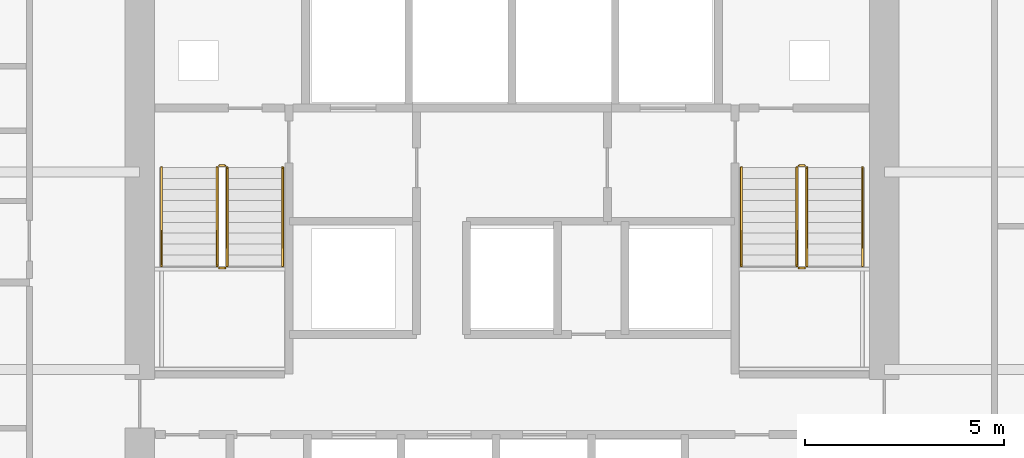
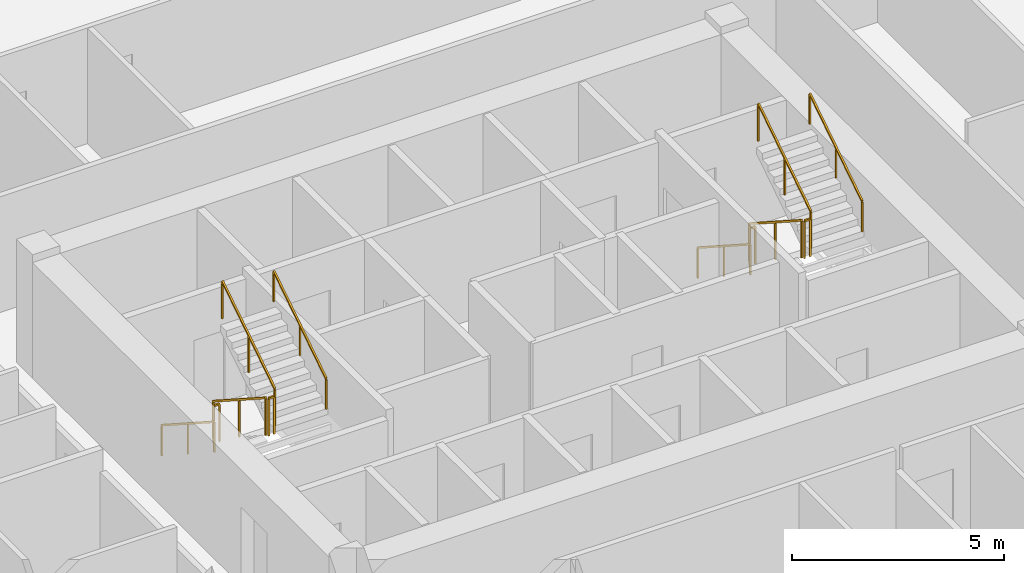
# One storey, part 9 of 10: 12 railings.
"""IFC4 building model written with IfcOpenShell, lengths in metres."""

from ifc_helpers import new_model, si_unit, direction, frame, origin, origin_2d, place, context, subcontext, project, spatial, rectangle, extrude, material, type_object, element, save


model = new_model("IFC4")

# Units and contexts
model_context = context("Model", 3, precision=1e-05, world=origin(), true_north=direction((0.0, 1.0)))
body_context = subcontext(model_context, "Body", "Model", "MODEL_VIEW")
ifc_project = project(units=[si_unit("LENGTHUNIT", "METRE"), si_unit("AREAUNIT", "SQUARE_METRE"), si_unit("VOLUMEUNIT", "CUBIC_METRE"), si_unit("PLANEANGLEUNIT", "RADIAN"), si_unit("MASSUNIT", "GRAM", prefix="KILO")], contexts=[model_context])

# Site, building, storey
site_placement = place(None, origin())
site = spatial("IfcSite", under=ifc_project, at=site_placement, CompositionType="ELEMENT")
building_placement = place(site_placement, origin())
building = spatial("IfcBuilding", under=site, at=building_placement, Name="Cinnabar Lancet Tower", CompositionType="ELEMENT")
storey_placement = place(building_placement, frame((0.0, 0.0, 87.10009765625)))
storey = spatial("IfcBuildingStorey", under=building, at=storey_placement, Name="L22", CompositionType="ELEMENT", Elevation=87.10009765625)

# Railings
ifc_material_1 = material(Name="Painted galvanized steel balustrade", Category="steel")
railing_type_1 = type_object("IfcRailingType", Name="GUARD-STAIR", PredefinedType="GUARDRAIL", material=ifc_material_1)
railing_1_placement = place(storey_placement, frame((24.97509765625, 28.39990234375, 0.177490234375)))
element("IfcRailing", 1, at=railing_1_placement, inside=storey, type_object=railing_type_1, Name="L22 ST-1 stair guard 1", PredefinedType="GUARDRAIL", context=body_context, shape_type="SweptSolid", body=[
    extrude(rectangle(XDim=0.048095703125, YDim=0.048095703125, at=origin_2d()), frame((0.0, 0.0, 1.076171875), z_axis=(0.0, -0.840183358697, 0.542302428327), x_axis=(1.0, 0.0, 0.0)), (0.0, 0.0, 1.0), 2.945556640625),
    extrude(rectangle(XDim=0.0419921875, YDim=0.0419921875, at=origin_2d()), origin(), (0.0, 0.0, 1.0), 1.052001953125),
    extrude(rectangle(XDim=0.0419921875, YDim=0.0419921875, at=origin_2d()), frame((0.0, -1.2373046875, 0.798828125)), (0.0, 0.0, 1.0), 1.052001953125),
    extrude(rectangle(XDim=0.0419921875, YDim=0.0419921875, at=origin_2d()), frame((0.0, -2.474853515625, 1.597412109375)), (0.0, 0.0, 1.0), 1.052001953125),
])
railing_2_placement = place(storey_placement, frame((25.02490234375, 25.875, 1.77490234375)))
element("IfcRailing", 2, at=railing_2_placement, inside=storey, type_object=railing_type_1, Name="L22 ST-1 stair guard 2", PredefinedType="GUARDRAIL", context=body_context, shape_type="SweptSolid", body=[
    extrude(rectangle(XDim=0.048095703125, YDim=0.048095703125, at=origin_2d()), frame((0.0, 0.0, 1.076171875), z_axis=(1.0, 0.0, 0.0), x_axis=(0.0, 1.0, 0.0)), (0.0, 0.0, 1.0), 0.150146484375),
    extrude(rectangle(XDim=0.0419921875, YDim=0.0419921875, at=origin_2d()), origin(), (0.0, 0.0, 1.0), 1.052001953125),
    extrude(rectangle(XDim=0.0419921875, YDim=0.0419921875, at=origin_2d()), frame((0.150146484375, 0.0, 0.0)), (0.0, 0.0, 1.0), 1.052001953125),
])
railing_3_placement = place(storey_placement, frame((25.22509765625, 25.925048828125, 1.952392578125)))
element("IfcRailing", 3, at=railing_3_placement, inside=storey, type_object=railing_type_1, Name="L22 ST-1 stair guard 3", PredefinedType="GUARDRAIL", context=body_context, shape_type="SweptSolid", body=[
    extrude(rectangle(XDim=0.048095703125, YDim=0.048095703125, at=origin_2d()), frame((0.0, 0.0, 1.076171875), z_axis=(0.0, 0.840183358697, 0.542302428327), x_axis=(-1.0, 0.0, 0.0)), (0.0, 0.0, 1.0), 2.945556640625),
    extrude(rectangle(XDim=0.0419921875, YDim=0.0419921875, at=origin_2d()), origin(), (0.0, 0.0, 1.0), 1.052001953125),
    extrude(rectangle(XDim=0.0419921875, YDim=0.0419921875, at=origin_2d()), frame((0.0, 1.2373046875, 0.798828125)), (0.0, 0.0, 1.0), 1.052001953125),
    extrude(rectangle(XDim=0.0419921875, YDim=0.0419921875, at=origin_2d()), frame((0.0, 2.474853515625, 1.597412109375)), (0.0, 0.0, 1.0), 1.052001953125),
])
railing_4_placement = place(storey_placement, frame((25.02490234375, 28.449951171875, 0.0)))
element("IfcRailing", 4, at=railing_4_placement, inside=storey, type_object=railing_type_1, Name="L22 ST-1 stair guard 4", PredefinedType="GUARDRAIL", context=body_context, shape_type="SweptSolid", body=[
    extrude(rectangle(XDim=0.048095703125, YDim=0.048095703125, at=origin_2d()), frame((0.0, 0.0, 1.076171875), z_axis=(1.0, 0.0, 0.0), x_axis=(0.0, 1.0, 0.0)), (0.0, 0.0, 1.0), 0.150146484375),
    extrude(rectangle(XDim=0.0419921875, YDim=0.0419921875, at=origin_2d()), origin(), (0.0, 0.0, 1.0), 1.052001953125),
    extrude(rectangle(XDim=0.0419921875, YDim=0.0419921875, at=origin_2d()), frame((0.150146484375, 0.0, 0.0)), (0.0, 0.0, 1.0), 1.052001953125),
])
railing_5_placement = place(storey_placement, frame((39.574951171875, 28.39990234375, 0.177490234375)))
element("IfcRailing", 5, at=railing_5_placement, inside=storey, type_object=railing_type_1, Name="L22 ST-2 stair guard 1", PredefinedType="GUARDRAIL", context=body_context, shape_type="SweptSolid", body=[
    extrude(rectangle(XDim=0.048095703125, YDim=0.048095703125, at=origin_2d()), frame((0.0, 0.0, 1.076171875), z_axis=(0.0, -0.840183358697, 0.542302428327), x_axis=(1.0, 0.0, 0.0)), (0.0, 0.0, 1.0), 2.945556640625),
    extrude(rectangle(XDim=0.0419921875, YDim=0.0419921875, at=origin_2d()), origin(), (0.0, 0.0, 1.0), 1.052001953125),
    extrude(rectangle(XDim=0.0419921875, YDim=0.0419921875, at=origin_2d()), frame((0.0, -1.2373046875, 0.798828125)), (0.0, 0.0, 1.0), 1.052001953125),
    extrude(rectangle(XDim=0.0419921875, YDim=0.0419921875, at=origin_2d()), frame((0.0, -2.474853515625, 1.597412109375)), (0.0, 0.0, 1.0), 1.052001953125),
])
railing_6_placement = place(storey_placement, frame((39.625, 25.875, 1.77490234375)))
element("IfcRailing", 6, at=railing_6_placement, inside=storey, type_object=railing_type_1, Name="L22 ST-2 stair guard 2", PredefinedType="GUARDRAIL", context=body_context, shape_type="SweptSolid", body=[
    extrude(rectangle(XDim=0.048095703125, YDim=0.048095703125, at=origin_2d()), frame((0.0, 0.0, 1.076171875), z_axis=(1.0, 0.0, 0.0), x_axis=(0.0, 1.0, 0.0)), (0.0, 0.0, 1.0), 0.14990234375),
    extrude(rectangle(XDim=0.0419921875, YDim=0.0419921875, at=origin_2d()), origin(), (0.0, 0.0, 1.0), 1.052001953125),
    extrude(rectangle(XDim=0.0419921875, YDim=0.0419921875, at=origin_2d()), frame((0.14990234375, 0.0, 0.0)), (0.0, 0.0, 1.0), 1.052001953125),
])
railing_7_placement = place(storey_placement, frame((39.824951171875, 25.925048828125, 1.952392578125)))
element("IfcRailing", 7, at=railing_7_placement, inside=storey, type_object=railing_type_1, Name="L22 ST-2 stair guard 3", PredefinedType="GUARDRAIL", context=body_context, shape_type="SweptSolid", body=[
    extrude(rectangle(XDim=0.048095703125, YDim=0.048095703125, at=origin_2d()), frame((0.0, 0.0, 1.076171875), z_axis=(0.0, 0.840183358697, 0.542302428327), x_axis=(-1.0, 0.0, 0.0)), (0.0, 0.0, 1.0), 2.945556640625),
    extrude(rectangle(XDim=0.0419921875, YDim=0.0419921875, at=origin_2d()), origin(), (0.0, 0.0, 1.0), 1.052001953125),
    extrude(rectangle(XDim=0.0419921875, YDim=0.0419921875, at=origin_2d()), frame((0.0, 1.2373046875, 0.798828125)), (0.0, 0.0, 1.0), 1.052001953125),
    extrude(rectangle(XDim=0.0419921875, YDim=0.0419921875, at=origin_2d()), frame((0.0, 2.474853515625, 1.597412109375)), (0.0, 0.0, 1.0), 1.052001953125),
])
railing_8_placement = place(storey_placement, frame((39.625, 28.449951171875, 0.0)))
element("IfcRailing", 8, at=railing_8_placement, inside=storey, type_object=railing_type_1, Name="L22 ST-2 stair guard 4", PredefinedType="GUARDRAIL", context=body_context, shape_type="SweptSolid", body=[
    extrude(rectangle(XDim=0.048095703125, YDim=0.048095703125, at=origin_2d()), frame((0.0, 0.0, 1.076171875), z_axis=(1.0, 0.0, 0.0), x_axis=(0.0, 1.0, 0.0)), (0.0, 0.0, 1.0), 0.14990234375),
    extrude(rectangle(XDim=0.0419921875, YDim=0.0419921875, at=origin_2d()), origin(), (0.0, 0.0, 1.0), 1.052001953125),
    extrude(rectangle(XDim=0.0419921875, YDim=0.0419921875, at=origin_2d()), frame((0.14990234375, 0.0, 0.0)), (0.0, 0.0, 1.0), 1.052001953125),
])
ifc_material_2 = material(Name="Brushed stainless steel handrail", Category="steel")
railing_type_2 = type_object("IfcRailingType", Name="HANDRAIL-STAIR", PredefinedType="HANDRAIL", material=ifc_material_2)
railing_9_placement = place(storey_placement, frame((23.574951171875, 28.39990234375, 0.177490234375)))
element("IfcRailing", 9, at=railing_9_placement, inside=storey, type_object=railing_type_2, Name="L22 ST-1 stair handrail 1", PredefinedType="HANDRAIL", context=body_context, shape_type="SweptSolid", body=[
    extrude(rectangle(XDim=0.048095703125, YDim=0.048095703125, at=origin_2d()), frame((0.0, 0.0, 0.8759765625), z_axis=(0.0, -0.840183358697, 0.542302428327), x_axis=(1.0, 0.0, 0.0)), (0.0, 0.0, 1.0), 2.945556640625),
    extrude(rectangle(XDim=0.0419921875, YDim=0.0419921875, at=origin_2d()), origin(), (0.0, 0.0, 1.0), 0.851806640625),
    extrude(rectangle(XDim=0.0419921875, YDim=0.0419921875, at=origin_2d()), frame((0.0, -1.2373046875, 0.798828125)), (0.0, 0.0, 1.0), 0.851806640625),
    extrude(rectangle(XDim=0.0419921875, YDim=0.0419921875, at=origin_2d()), frame((0.0, -2.474853515625, 1.597412109375)), (0.0, 0.0, 1.0), 0.851806640625),
])
railing_10_placement = place(storey_placement, frame((26.625, 25.925048828125, 1.952392578125)))
element("IfcRailing", 10, at=railing_10_placement, inside=storey, type_object=railing_type_2, Name="L22 ST-1 stair handrail 2", PredefinedType="HANDRAIL", context=body_context, shape_type="SweptSolid", body=[
    extrude(rectangle(XDim=0.048095703125, YDim=0.048095703125, at=origin_2d()), frame((0.0, 0.0, 0.8759765625), z_axis=(0.0, 0.840183358697, 0.542302428327), x_axis=(-1.0, 0.0, 0.0)), (0.0, 0.0, 1.0), 2.945556640625),
    extrude(rectangle(XDim=0.0419921875, YDim=0.0419921875, at=origin_2d()), origin(), (0.0, 0.0, 1.0), 0.851806640625),
    extrude(rectangle(XDim=0.0419921875, YDim=0.0419921875, at=origin_2d()), frame((0.0, 1.2373046875, 0.798828125)), (0.0, 0.0, 1.0), 0.851806640625),
    extrude(rectangle(XDim=0.0419921875, YDim=0.0419921875, at=origin_2d()), frame((0.0, 2.474853515625, 1.597412109375)), (0.0, 0.0, 1.0), 0.851806640625),
])
railing_11_placement = place(storey_placement, frame((38.175048828125, 28.39990234375, 0.177490234375)))
element("IfcRailing", 11, at=railing_11_placement, inside=storey, type_object=railing_type_2, Name="L22 ST-2 stair handrail 1", PredefinedType="HANDRAIL", context=body_context, shape_type="SweptSolid", body=[
    extrude(rectangle(XDim=0.048095703125, YDim=0.048095703125, at=origin_2d()), frame((0.0, 0.0, 0.8759765625), z_axis=(0.0, -0.840183358697, 0.542302428327), x_axis=(1.0, 0.0, 0.0)), (0.0, 0.0, 1.0), 2.945556640625),
    extrude(rectangle(XDim=0.0419921875, YDim=0.0419921875, at=origin_2d()), origin(), (0.0, 0.0, 1.0), 0.851806640625),
    extrude(rectangle(XDim=0.0419921875, YDim=0.0419921875, at=origin_2d()), frame((0.0, -1.2373046875, 0.798828125)), (0.0, 0.0, 1.0), 0.851806640625),
    extrude(rectangle(XDim=0.0419921875, YDim=0.0419921875, at=origin_2d()), frame((0.0, -2.474853515625, 1.597412109375)), (0.0, 0.0, 1.0), 0.851806640625),
])
railing_12_placement = place(storey_placement, frame((41.22509765625, 25.925048828125, 1.952392578125)))
element("IfcRailing", 12, at=railing_12_placement, inside=storey, type_object=railing_type_2, Name="L22 ST-2 stair handrail 2", PredefinedType="HANDRAIL", context=body_context, shape_type="SweptSolid", body=[
    extrude(rectangle(XDim=0.048095703125, YDim=0.048095703125, at=origin_2d()), frame((0.0, 0.0, 0.8759765625), z_axis=(0.0, 0.840183358697, 0.542302428327), x_axis=(-1.0, 0.0, 0.0)), (0.0, 0.0, 1.0), 2.945556640625),
    extrude(rectangle(XDim=0.0419921875, YDim=0.0419921875, at=origin_2d()), origin(), (0.0, 0.0, 1.0), 0.851806640625),
    extrude(rectangle(XDim=0.0419921875, YDim=0.0419921875, at=origin_2d()), frame((0.0, 1.2373046875, 0.798828125)), (0.0, 0.0, 1.0), 0.851806640625),
    extrude(rectangle(XDim=0.0419921875, YDim=0.0419921875, at=origin_2d()), frame((0.0, 2.474853515625, 1.597412109375)), (0.0, 0.0, 1.0), 0.851806640625),
])

save(model, "model.ifc")
